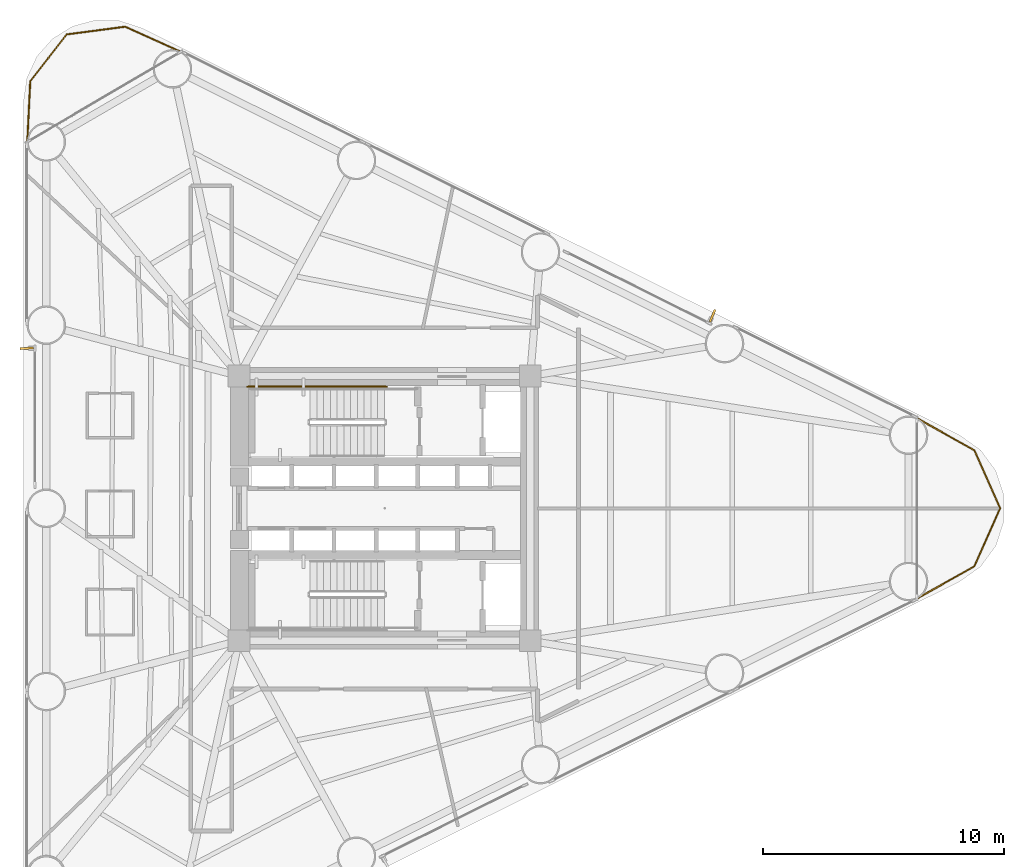
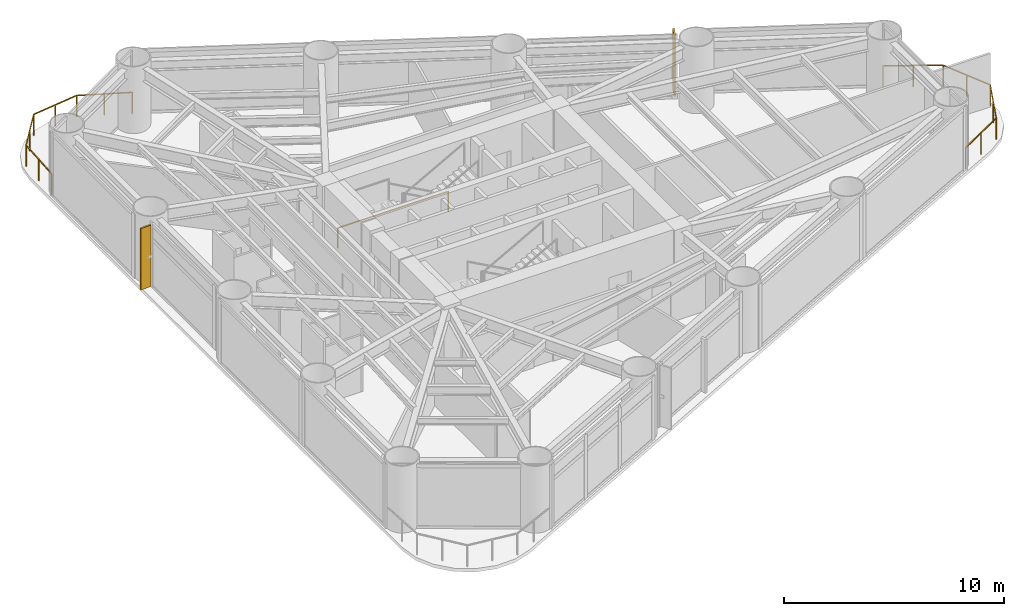
# One storey, part 10 of 10: 3 railings, 2 shading devices.
"""IFC4 building model written with IfcOpenShell, lengths in metres."""

from ifc_helpers import new_model, si_unit, direction, frame, origin, origin_2d, place, context, subcontext, project, spatial, rectangle, extrude, source, transform, mapped, material, material_profile, profile_set, type_object, element, save


model = new_model("IFC4")

# Units and contexts
model_context = context("Model", 3, precision=1e-05, world=origin(), true_north=direction((0.0, 1.0)))
body_context = subcontext(model_context, "Body", "Model", "MODEL_VIEW")
ifc_project = project(units=[si_unit("LENGTHUNIT", "METRE"), si_unit("AREAUNIT", "SQUARE_METRE"), si_unit("VOLUMEUNIT", "CUBIC_METRE"), si_unit("PLANEANGLEUNIT", "RADIAN"), si_unit("MASSUNIT", "GRAM", prefix="KILO")], contexts=[model_context])

# Site, building, storey
site_placement = place(None, origin())
site = spatial("IfcSite", under=ifc_project, at=site_placement, CompositionType="ELEMENT")
building_placement = place(site_placement, origin())
building = spatial("IfcBuilding", under=site, at=building_placement, Name="Yunling Apex Tower", CompositionType="ELEMENT")
storey_placement = place(building_placement, frame((0.0, 0.0, 27.5)))
storey = spatial("IfcBuildingStorey", under=building, at=storey_placement, Name="L08", CompositionType="ELEMENT", Elevation=27.5)

# Railings
ifc_material_1 = material(Name="Bronze anodised aluminium", Category="aluminium")
railing_type_1 = type_object("IfcRailingType", Name="RL-BAL-1200", PredefinedType="BALUSTRADE", material=ifc_material_1)
railing_1_placement = place(storey_placement, frame((22.1181640625, 3.74609375, 0.0)))
element("IfcRailing", 1, at=railing_1_placement, inside=storey, type_object=railing_type_1, Name="RL-CRNSILL-L08-1", PredefinedType="BALUSTRADE", context=body_context, shape_type="SweptSolid", body=[
    extrude(rectangle(XDim=0.0439453125, YDim=0.0439453125, at=origin_2d()), origin(), (0.0, 0.0, 1.0), 1.199951171875),
    extrude(rectangle(XDim=0.0439453125, YDim=0.0439453125, at=origin_2d()), frame((2.380615234375, -1.3349609375, 0.0)), (0.0, 0.0, 1.0), 1.199951171875),
    extrude(rectangle(XDim=0.050048828125, YDim=0.050048828125, at=origin_2d()), frame((0.033447265625, -0.018798828125, 1.1748046875), z_axis=(0.872222158118, -0.48910991289, 0.0), x_axis=(0.48910991289, 0.872222158118, 0.0)), (0.0, 0.0, 1.0), 2.652587890625),
    extrude(rectangle(XDim=0.0439453125, YDim=0.0439453125, at=origin_2d()), frame((1.1904296875, -0.66748046875, 0.0)), (0.0, 0.0, 1.0), 1.14599609375),
    extrude(rectangle(XDim=0.0439453125, YDim=0.0439453125, at=origin_2d()), frame((3.45263671875, -3.74609375, 0.0)), (0.0, 0.0, 1.0), 1.199951171875),
    extrude(rectangle(XDim=0.050048828125, YDim=0.050048828125, at=origin_2d()), frame((2.396240234375, -1.369873046875, 1.1748046875), z_axis=(0.406267230745, -0.913754309004, 0.0), x_axis=(0.913754309004, 0.406267230745, 0.0)), (0.0, 0.0, 1.0), 2.56201171875),
    extrude(rectangle(XDim=0.0439453125, YDim=0.0439453125, at=origin_2d()), frame((2.91650390625, -2.54052734375, 0.0)), (0.0, 0.0, 1.0), 1.14599609375),
    extrude(rectangle(XDim=0.0439453125, YDim=0.0439453125, at=origin_2d()), frame((2.380615234375, -6.1572265625, 0.0)), (0.0, 0.0, 1.0), 1.199951171875),
    extrude(rectangle(XDim=0.050048828125, YDim=0.050048828125, at=origin_2d()), frame((3.43701171875, -3.781005859375, 1.1748046875), z_axis=(-0.406267230745, -0.913754309004, 0.0), x_axis=(0.913754309004, -0.406267230745, 0.0)), (0.0, 0.0, 1.0), 2.56201171875),
    extrude(rectangle(XDim=0.0439453125, YDim=0.0439453125, at=origin_2d()), frame((2.91650390625, -4.95166015625, 0.0)), (0.0, 0.0, 1.0), 1.14599609375),
    extrude(rectangle(XDim=0.0439453125, YDim=0.0439453125, at=origin_2d()), frame((0.0, -7.4921875, 0.0)), (0.0, 0.0, 1.0), 1.199951171875),
    extrude(rectangle(XDim=0.050048828125, YDim=0.050048828125, at=origin_2d()), frame((2.34716796875, -6.176025390625, 1.1748046875), z_axis=(-0.872222158118, -0.48910991289, 0.0), x_axis=(0.48910991289, -0.872222158118, 0.0)), (0.0, 0.0, 1.0), 2.652587890625),
    extrude(rectangle(XDim=0.0439453125, YDim=0.0439453125, at=origin_2d()), frame((1.1904296875, -6.82470703125, 0.0)), (0.0, 0.0, 1.0), 1.14599609375),
])
railing_2_placement = place(storey_placement, frame((-14.842041015625, 15.218994140625, 0.0)))
element("IfcRailing", 2, at=railing_2_placement, inside=storey, type_object=railing_type_1, Name="RL-CRNSILL-L08-2", PredefinedType="BALUSTRADE", context=body_context, shape_type="SweptSolid", body=[
    extrude(rectangle(XDim=0.0439453125, YDim=0.0439453125, at=origin_2d()), origin(), (0.0, 0.0, 1.0), 1.199951171875),
    extrude(rectangle(XDim=0.0439453125, YDim=0.0439453125, at=origin_2d()), frame((0.1240234375, 2.52783203125, 0.0)), (0.0, 0.0, 1.0), 1.199951171875),
    extrude(rectangle(XDim=0.050048828125, YDim=0.050048828125, at=origin_2d()), frame((0.001953125, 0.038330078125, 1.1748046875), z_axis=(0.049004218115, 0.998798571588, 0.0), x_axis=(-0.998798571588, 0.049004218115, 0.0)), (0.0, 0.0, 1.0), 2.4541015625),
    extrude(rectangle(XDim=0.0439453125, YDim=0.0439453125, at=origin_2d()), frame((0.06201171875, 1.263916015625, 0.0)), (0.0, 0.0, 1.0), 1.14599609375),
    extrude(rectangle(XDim=0.0439453125, YDim=0.0439453125, at=origin_2d()), frame((1.640625, 4.469482421875, 0.0)), (0.0, 0.0, 1.0), 1.199951171875),
    extrude(rectangle(XDim=0.050048828125, YDim=0.050048828125, at=origin_2d()), frame((0.147705078125, 2.55810546875, 1.1748046875), z_axis=(0.615565197226, 0.788085964832, 0.0), x_axis=(-0.788085964832, 0.615565197226, 0.0)), (0.0, 0.0, 1.0), 2.38720703125),
    extrude(rectangle(XDim=0.0439453125, YDim=0.0439453125, at=origin_2d()), frame((0.88232421875, 3.49853515625, 0.0)), (0.0, 0.0, 1.0), 1.14599609375),
    extrude(rectangle(XDim=0.0439453125, YDim=0.0439453125, at=origin_2d()), frame((4.075439453125, 4.7890625, 0.0)), (0.0, 0.0, 1.0), 1.199951171875),
    extrude(rectangle(XDim=0.050048828125, YDim=0.050048828125, at=origin_2d()), frame((1.6787109375, 4.474365234375, 1.1748046875), z_axis=(0.991495866646, 0.130138182035, 0.0), x_axis=(-0.130138182035, 0.991495866646, 0.0)), (0.0, 0.0, 1.0), 2.379150390625),
    extrude(rectangle(XDim=0.0439453125, YDim=0.0439453125, at=origin_2d()), frame((2.85791015625, 4.62939453125, 0.0)), (0.0, 0.0, 1.0), 1.14599609375),
    extrude(rectangle(XDim=0.0439453125, YDim=0.0439453125, at=origin_2d()), frame((6.382568359375, 3.74609375, 0.0)), (0.0, 0.0, 1.0), 1.199951171875),
    extrude(rectangle(XDim=0.050048828125, YDim=0.050048828125, at=origin_2d()), frame((4.1103515625, 4.773193359375, 1.1748046875), z_axis=(0.911216522497, -0.411927723186, 0.0), x_axis=(0.411927723186, 0.911216522497, 0.0)), (0.0, 0.0, 1.0), 2.455322265625),
    extrude(rectangle(XDim=0.0439453125, YDim=0.0439453125, at=origin_2d()), frame((5.22900390625, 4.267578125, 0.0)), (0.0, 0.0, 1.0), 1.14599609375),
])
ifc_material_2 = material(Name="Steel Q355B", Category="steel")
railing_type_2 = type_object("IfcRailingType", Name="RL-GRD-1150", PredefinedType="GUARDRAIL", material=ifc_material_2)
railing_3_placement = place(storey_placement, frame((0.090087890625, 5.06005859375, 0.0)))
element("IfcRailing", 3, at=railing_3_placement, inside=storey, type_object=railing_type_2, Name="L08 ST-1 stair guard 7", PredefinedType="GUARDRAIL", context=body_context, shape_type="SweptSolid", body=[
    extrude(rectangle(XDim=0.0439453125, YDim=0.0439453125, at=origin_2d()), origin(), (0.0, 0.0, 1.0), 1.14990234375),
    extrude(rectangle(XDim=0.0439453125, YDim=0.0439453125, at=origin_2d()), frame((-5.7900390625, 0.0, 0.0)), (0.0, 0.0, 1.0), 1.14990234375),
    extrude(rectangle(XDim=0.050048828125, YDim=0.050048828125, at=origin_2d()), frame((-0.038330078125, 0.0, 1.125), z_axis=(-1.0, 0.0, 0.0), x_axis=(0.0, -1.0, 0.0)), (0.0, 0.0, 1.0), 5.71337890625),
])

# Shading devices
ifc_material_profile = material_profile(ifc_material_1, rectangle(XDim=0.0849609375, YDim=0.550048828125, at=origin_2d()))
ifc_profile_set = profile_set([ifc_material_profile], Name="Bronze anodised aluminium")
shading_device_type = type_object("IfcShadingDeviceType", Name="FN-BRZ-3", PredefinedType="USERDEFINED", material=ifc_profile_set)
shared_shape = source(origin(), body_context, "Body", "SweptSolid", [
    extrude(rectangle(XDim=0.0849609375, YDim=0.550048828125, at=origin_2d()), origin(), (0.0, 0.0, 1.0), 3.39501953125),
])
for number, where, z_axis, x_axis, name in (
    (4, (13.623291015625, 8.002197265625, 0.06005859375), (0.0, 0.0, 1.0), (-0.922470722095, 0.386067049717, 0.0), "CW-L08-F2-B2-FIN-01"),
    (5, (-14.866943359375, 6.64697265625, 0.06005859375), (0.0, 0.0, 1.0), (0.06540312923, -0.997858923239, 0.0), "CW-L08-F3-B2-FIN-01"),
):
    element("IfcShadingDevice", number, at=place(storey_placement, frame(where, z_axis=z_axis, x_axis=x_axis)), inside=storey, type_object=shading_device_type, Name=name, ObjectType="FIN", PredefinedType="USERDEFINED", context=body_context, shape_type="MappedRepresentation", body=[
        mapped(shared_shape, transform((0.0, 0.0, 0.0), scale=1.0)),
    ])

save(model, "model.ifc")
